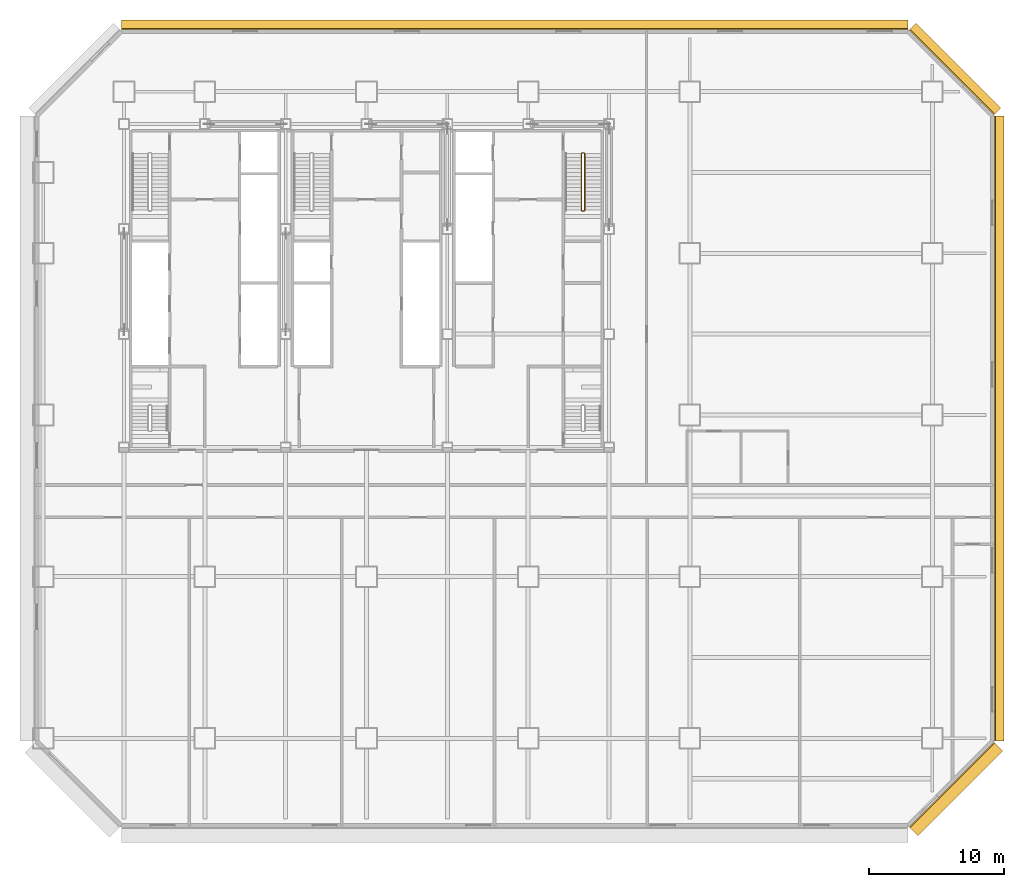
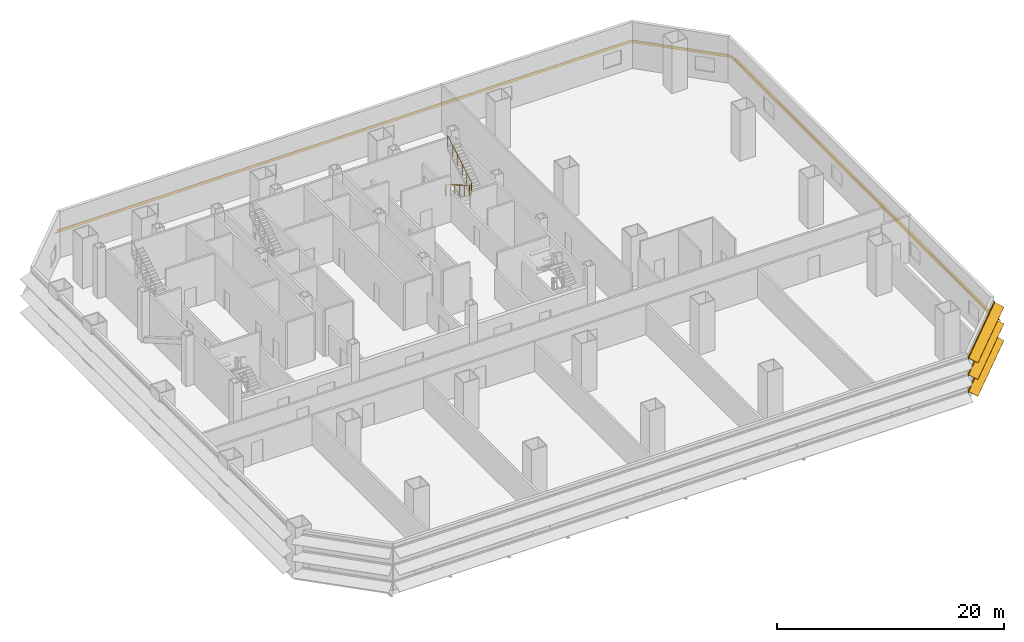
# One storey, part 10 of 10: 4 shading devices, 1 railing.
"""IFC4 building model written with IfcOpenShell, lengths in metres."""

from ifc_helpers import new_model, si_unit, direction, frame, origin, origin_2d, place, context, subcontext, project, spatial, polyline, circle, outline, composite_profile, extrude, material, type_object, element, save


model = new_model("IFC4")

# Units and contexts
model_context = context("Model", 3, precision=1e-05, world=origin(), true_north=direction((0.0, 1.0)))
body_context = subcontext(model_context, "Body", "Model", "MODEL_VIEW")
ifc_project = project(units=[si_unit("LENGTHUNIT", "METRE"), si_unit("AREAUNIT", "SQUARE_METRE"), si_unit("VOLUMEUNIT", "CUBIC_METRE"), si_unit("PLANEANGLEUNIT", "RADIAN"), si_unit("MASSUNIT", "GRAM", prefix="KILO")], contexts=[model_context])

# Site, building, storey
site_placement = place(None, origin())
site = spatial("IfcSite", under=ifc_project, at=site_placement, CompositionType="ELEMENT")
building_placement = place(site_placement, origin())
building = spatial("IfcBuilding", under=site, at=building_placement, Name="Sorahane Residences", CompositionType="ELEMENT")
storey_placement = place(building_placement, frame((0.0, 0.0, 15.0)))
storey = spatial("IfcBuildingStorey", under=building, at=storey_placement, Name="L01", CompositionType="ELEMENT", Elevation=15.0)

# Shading devices
ifc_material_1 = material(Name="Terracotta anodised aluminium", Category="masonry")
shading_device_type_1 = type_object("IfcShadingDeviceType", Name="Louvre sunshade blade E terracotta aluminium 700", PredefinedType="JALOUSIE", material=ifc_material_1)
shading_device_1_placement = place(storey_placement, frame((70.60009765625, -0.198486328125, 2.699951171875), z_axis=(0.0, 1.0, 0.0), x_axis=(-1.0, 0.0, 0.0)))
element("IfcShadingDevice", 1, at=shading_device_1_placement, inside=storey, type_object=shading_device_type_1, Name="Louvre sunshade blade bank E L01 E1", PredefinedType="JALOUSIE", context=body_context, shape_type="SweptSolid", body=[
    extrude(outline(polyline([(-0.719970703125, -0.49365234375), (-0.719970703125, -0.523681640625), (-0.080078125, -0.05859375), (-0.080078125, -0.14990234375), (-0.02001953125, -0.14990234375), (-0.02001953125, -0.014892578125), (-0.02001953125, 0.014892578125), (-0.02001953125, 0.14990234375), (-0.080078125, 0.14990234375), (-0.080078125, -0.028564453125), (-0.719970703125, -0.49365234375)])), origin(), (0.0, 0.0, 1.0), 46.39697265625),
])
ifc_material_2 = material(Name="Terracotta anodised aluminium", Category="masonry")
shading_device_type_2 = type_object("IfcShadingDeviceType", Name="Louvre sunshade blade N terracotta aluminium 700", PredefinedType="JALOUSIE", material=ifc_material_2)
shading_device_2_placement = place(storey_placement, frame((64.198486328125, 52.60009765625, 2.699951171875), z_axis=(-1.0, 0.0, 0.0), x_axis=(0.0, -1.0, 0.0)))
element("IfcShadingDevice", 2, at=shading_device_2_placement, inside=storey, type_object=shading_device_type_2, Name="Louvre sunshade blade bank N L01 N1", PredefinedType="JALOUSIE", context=body_context, shape_type="SweptSolid", body=[
    extrude(outline(polyline([(-0.719970703125, -0.660888671875), (-0.719970703125, -0.69091796875), (-0.080078125, -0.072998046875), (-0.080078125, -0.14990234375), (-0.02001953125, -0.14990234375), (-0.02001953125, -0.014892578125), (-0.02001953125, 0.014892578125), (-0.02001953125, 0.14990234375), (-0.080078125, 0.14990234375), (-0.080078125, -0.04296875), (-0.719970703125, -0.660888671875)])), origin(), (0.0, 0.0, 1.0), 58.39697265625),
])
ifc_material_3 = material(Name="Terracotta anodised aluminium", Category="masonry")
shading_device_type_3 = type_object("IfcShadingDeviceType", Name="Louvre sunshade blade NE terracotta aluminium 700", PredefinedType="JALOUSIE", material=ifc_material_3)
shading_device_3_placement = place(storey_placement, frame((70.564697265625, 46.283935546875, 2.699951171875), z_axis=(-0.707106781187, 0.707106781187, 0.0), x_axis=(-0.707106781187, -0.707106781187, 0.0)))
element("IfcShadingDevice", 3, at=shading_device_3_placement, inside=storey, type_object=shading_device_type_3, Name="Louvre sunshade blade bank NE L01 NE1", PredefinedType="JALOUSIE", context=body_context, shape_type="SweptSolid", body=[
    extrude(outline(polyline([(-0.719970703125, -0.572509765625), (-0.719970703125, -0.602294921875), (-0.080078125, -0.065185546875), (-0.080078125, -0.14990234375), (-0.02001953125, -0.14990234375), (-0.02001953125, -0.014892578125), (-0.02001953125, 0.014892578125), (-0.02001953125, 0.14990234375), (-0.080078125, 0.14990234375), (-0.080078125, -0.035400390625), (-0.719970703125, -0.572509765625)])), origin(), (0.0, 0.0, 1.0), 8.88232421875),
])
ifc_material_4 = material(Name="Terracotta anodised aluminium", Category="masonry")
shading_device_type_4 = type_object("IfcShadingDeviceType", Name="Louvre sunshade blade SE terracotta aluminium 900", PredefinedType="JALOUSIE", material=ifc_material_4)
shading_device_4_placement = place(storey_placement, frame((64.283935546875, -6.564697265625, 0.89990234375), z_axis=(0.707106781187, 0.707106781187, 0.0), x_axis=(-0.707106781187, 0.707106781187, 0.0)))
element("IfcShadingDevice", 4, at=shading_device_4_placement, inside=storey, type_object=shading_device_type_4, Name="Louvre sunshade blade bank SE L01 SE1", PredefinedType="JALOUSIE", context=body_context, shape_type="SweptSolid", body=[
    extrude(composite_profile([outline(polyline([(-0.919921875, -0.3486328125), (-0.919921875, -0.378662109375), (-0.080078125, -0.039306640625), (-0.080078125, -0.14990234375), (-0.02001953125, -0.14990234375), (-0.02001953125, -0.014892578125), (-0.02001953125, 0.014892578125), (-0.02001953125, 0.14990234375), (-0.080078125, 0.14990234375), (-0.080078125, -0.00927734375), (-0.919921875, -0.3486328125)])), outline(polyline([(-0.919921875, 1.451416015625), (-0.919921875, 1.42138671875), (-0.080078125, 1.7607421875), (-0.080078125, 1.64990234375), (-0.02001953125, 1.64990234375), (-0.02001953125, 1.784912109375), (-0.02001953125, 1.81494140625), (-0.02001953125, 1.949951171875), (-0.080078125, 1.949951171875), (-0.080078125, 1.790771484375), (-0.919921875, 1.451416015625)])), outline(polyline([(-0.919921875, 3.25146484375), (-0.919921875, 3.221435546875), (-0.080078125, 3.560791015625), (-0.080078125, 3.449951171875), (-0.02001953125, 3.449951171875), (-0.02001953125, 3.5849609375), (-0.02001953125, 3.614990234375), (-0.02001953125, 3.75), (-0.080078125, 3.75), (-0.080078125, 3.5908203125), (-0.919921875, 3.25146484375)]))]), origin(), (0.0, 0.0, 1.0), 8.88232421875),
])

# Railing
ifc_material_5 = material(Name="Steel Q355B", Category="steel")
railing_type = type_object("IfcRailingType", Name="Stair guard 1200 Steel Q355B", PredefinedType="GUARDRAIL", material=ifc_material_5)
railing_placement = place(storey_placement, frame((40.14990234375, 43.449951171875, 0.0)))
element("IfcRailing", 5, at=railing_placement, inside=storey, type_object=railing_type, Name="L01 S2 stair guard 1", PredefinedType="GUARDRAIL", context=body_context, shape_type="SweptSolid", body=[
    extrude(circle(Radius=0.02392578125, at=origin_2d()), frame((0.0, 0.0, 1.17578125), z_axis=(-1.0, 0.0, 0.0), x_axis=(0.0, -1.0, 0.0)), (0.0, 0.0, 1.0), 0.14990234375),
    extrude(circle(Radius=0.02392578125, at=origin_2d()), frame((-0.14990234375, 0.0, 1.17578125), z_axis=(-0.273569069059, -0.273569069059, 0.922127935218), x_axis=(0.707106781187, -0.707106781187, 0.0)), (0.0, 0.0, 1.0), 0.182861328125),
    extrude(circle(Radius=0.02392578125, at=origin_2d()), frame((-0.199951171875, -0.050048828125, 1.3447265625), z_axis=(0.0, -0.856476492594, 0.516186030065), x_axis=(1.0, 0.0, 0.0)), (0.0, 0.0, 1.0), 4.90380859375),
    extrude(circle(Radius=0.02392578125, at=origin_2d()), frame((-0.199951171875, -4.25, 3.8759765625), z_axis=(0.707106781187, -0.707106781187, 0.0), x_axis=(0.707106781187, 0.707106781187, 0.0)), (0.0, 0.0, 1.0), 0.07080078125),
    extrude(circle(Radius=0.02392578125, at=origin_2d()), frame((-0.14990234375, -4.300048828125, 3.8759765625), z_axis=(1.0, 0.0, 0.0), x_axis=(0.0, 1.0, 0.0)), (0.0, 0.0, 1.0), 0.14990234375),
    extrude(circle(Radius=0.02392578125, at=origin_2d()), frame((0.0, -4.300048828125, 3.8759765625), z_axis=(0.273569069059, 0.273569069059, 0.922127935218), x_axis=(-0.707106781187, 0.707106781187, 0.0)), (0.0, 0.0, 1.0), 0.182861328125),
    extrude(circle(Radius=0.02392578125, at=origin_2d()), frame((0.050048828125, -4.25, 4.04443359375), z_axis=(0.0, 0.856476492594, 0.516186030065), x_axis=(-1.0, 0.0, 0.0)), (0.0, 0.0, 1.0), 4.90380859375),
    extrude(circle(Radius=0.02099609375, at=origin_2d()), origin(), (0.0, 0.0, 1.0), 1.15185546875),
    extrude(circle(Radius=0.02099609375, at=origin_2d()), frame((-0.14990234375, 0.0, 0.0)), (0.0, 0.0, 1.0), 1.15185546875),
    extrude(circle(Radius=0.02099609375, at=origin_2d()), frame((-0.199951171875, -0.050048828125, 0.168701171875)), (0.0, 0.0, 1.0), 1.15185546875),
    extrude(circle(Radius=0.02099609375, at=origin_2d()), frame((-0.199951171875, -0.89013671875, 0.675048828125)), (0.0, 0.0, 1.0), 1.15185546875),
    extrude(circle(Radius=0.02099609375, at=origin_2d()), frame((-0.199951171875, -1.72998046875, 1.18115234375)), (0.0, 0.0, 1.0), 1.15185546875),
    extrude(circle(Radius=0.02099609375, at=origin_2d()), frame((-0.199951171875, -2.570068359375, 1.6875)), (0.0, 0.0, 1.0), 1.15185546875),
    extrude(circle(Radius=0.02099609375, at=origin_2d()), frame((-0.199951171875, -3.409912109375, 2.193603515625)), (0.0, 0.0, 1.0), 1.15185546875),
    extrude(circle(Radius=0.02099609375, at=origin_2d()), frame((-0.199951171875, -4.25, 2.699951171875)), (0.0, 0.0, 1.0), 1.15185546875),
    extrude(circle(Radius=0.02099609375, at=origin_2d()), frame((-0.14990234375, -4.300048828125, 2.699951171875)), (0.0, 0.0, 1.0), 1.15185546875),
    extrude(circle(Radius=0.02099609375, at=origin_2d()), frame((0.0, -4.300048828125, 2.699951171875)), (0.0, 0.0, 1.0), 1.15185546875),
    extrude(circle(Radius=0.02099609375, at=origin_2d()), frame((0.050048828125, -4.25, 2.86865234375)), (0.0, 0.0, 1.0), 1.15185546875),
    extrude(circle(Radius=0.02099609375, at=origin_2d()), frame((0.050048828125, -3.409912109375, 3.375)), (0.0, 0.0, 1.0), 1.15185546875),
    extrude(circle(Radius=0.02099609375, at=origin_2d()), frame((0.050048828125, -2.570068359375, 3.881103515625)), (0.0, 0.0, 1.0), 1.15185546875),
    extrude(circle(Radius=0.02099609375, at=origin_2d()), frame((0.050048828125, -1.72998046875, 4.387451171875)), (0.0, 0.0, 1.0), 1.15185546875),
    extrude(circle(Radius=0.02099609375, at=origin_2d()), frame((0.050048828125, -0.89013671875, 4.8935546875)), (0.0, 0.0, 1.0), 1.15185546875),
    extrude(circle(Radius=0.02099609375, at=origin_2d()), frame((0.050048828125, -0.050048828125, 5.39990234375)), (0.0, 0.0, 1.0), 1.15185546875),
])

save(model, "model.ifc")
